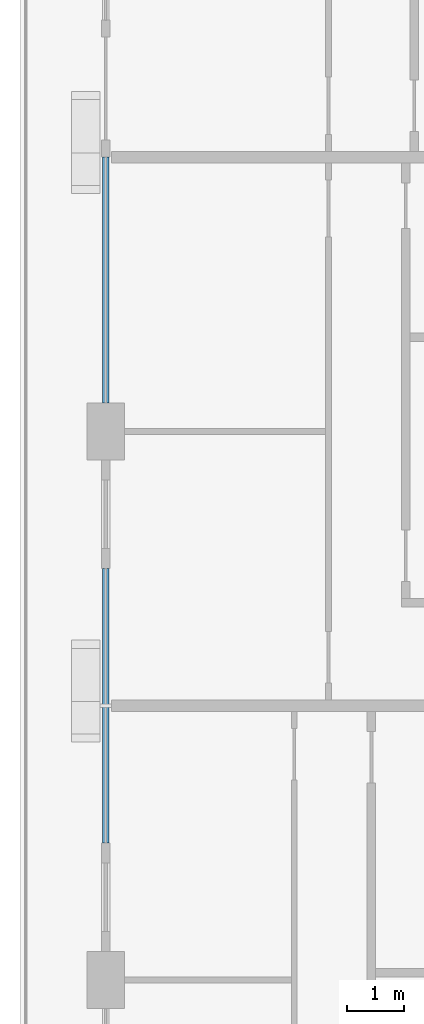
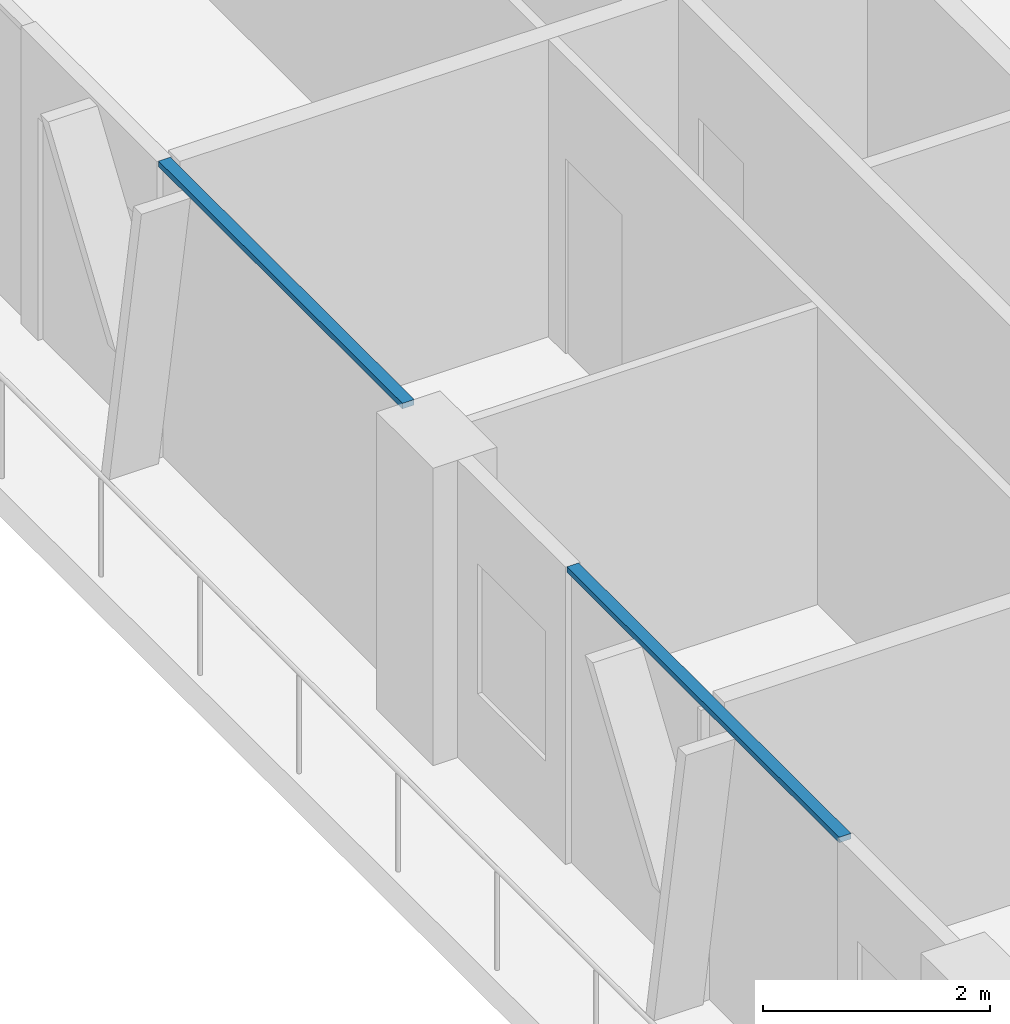
# One storey, part 3 of 23: 2 members, 2 elements without a shape of their own.
"""IFC4 building model written with IfcOpenShell, lengths in metres."""

import ifcopenshell
import ifcopenshell.guid

model = None  # the IFC model being written
_history = None  # IfcOwnerHistory: only IFC2X3 demands one
_inside = {}  # id of a spatial element -> (the spatial element, [elements in it])
_under = {}  # id of a project, library or spatial element -> (it, [spatial elements below it])
_declared = {}  # id of a project -> (the project, [libraries it declares])
_typed = {}  # id of a type object -> (the type object, [elements of that type])
_made_of = {}  # id of a material, layer set ... -> (it, [elements and type objects made of it])


def new_model(schema):
    """Start an empty IFC model of exactly this schema.

    Asked for "IFC4X3", IfcOpenShell would pick the latest addendum, in which some entities
    have other attributes; the version numbers below select the first issue.
    IFC2X3 requires an IfcOwnerHistory on every rooted entity: one is made here for all.
    """
    global model, _history
    if schema == "IFC4X3":
        model = ifcopenshell.file(schema_version=(4, 3, 0, 0))
    else:
        model = ifcopenshell.file(schema=schema)
    _inside.clear()
    _under.clear()
    _declared.clear()
    _typed.clear()
    _made_of.clear()
    _history = None
    if model.schema == "IFC2X3":
        org = make("IfcOrganization", Name="unknown")
        user = make(
            "IfcPersonAndOrganization",
            ThePerson=make("IfcPerson", FamilyName="unknown"),
            TheOrganization=org,
        )
        app = make(
            "IfcApplication",
            ApplicationDeveloper=org,
            Version="unknown",
            ApplicationFullName="unknown",
            ApplicationIdentifier="unknown",
        )
        _history = make(
            "IfcOwnerHistory",
            OwningUser=user,
            OwningApplication=app,
            ChangeAction="ADDED",
            CreationDate=0,
        )
    return model


def make(cls, **values):
    """One entity of the class cls with the attributes given. An attribute that is None is left unset."""
    return model.create_entity(
        cls, **{name: value for name, value in values.items() if value is not None}
    )


def rooted(cls, **values):
    """An entity with a GlobalId (a new one), such as an element, a storey or a relation."""
    return make(cls, GlobalId=ifcopenshell.guid.new(), OwnerHistory=_history, **values)


def si_unit(unit_type, name, prefix=None):
    """IfcSIUnit, for example si_unit("LENGTHUNIT", "METRE", prefix="MILLI")."""
    return make("IfcSIUnit", UnitType=unit_type, Prefix=prefix, Name=name)


def assignment(units):
    """IfcUnitAssignment: the units of a project."""
    return None if units is None else make("IfcUnitAssignment", Units=units)


def point(xyz):
    """IfcCartesianPoint."""
    return None if xyz is None else make("IfcCartesianPoint", Coordinates=xyz)


def direction(xyz):
    """IfcDirection."""
    return None if xyz is None else make("IfcDirection", DirectionRatios=xyz)


def frame(location, z_axis=None, x_axis=None):
    """IfcAxis2Placement3D, a coordinate frame: its origin and axes. An axis left out is left unset."""
    return make(
        "IfcAxis2Placement3D",
        Location=point(location),
        Axis=direction(z_axis),
        RefDirection=direction(x_axis),
    )


def frame_2d(location, x_axis=None):
    """IfcAxis2Placement2D, a coordinate frame in the plane: its origin and x axis."""
    return make(
        "IfcAxis2Placement2D", Location=point(location), RefDirection=direction(x_axis)
    )


def origin():
    """The frame at (0, 0, 0) with its axes left unset."""
    return frame((0.0, 0.0, 0.0))


def origin_2d():
    """The frame at (0, 0) in the plane with its x axis left unset."""
    return frame_2d((0.0, 0.0))


def place(relative_to, where):
    """IfcLocalPlacement: puts the frame where relative to a parent placement (None: the world)."""
    return make(
        "IfcLocalPlacement", PlacementRelTo=relative_to, RelativePlacement=where
    )


def context(
    kind, dimensions, precision=None, world=None, true_north=None, identifier=None
):
    """IfcGeometricRepresentationContext, for example the 3D "Model" context."""
    return make(
        "IfcGeometricRepresentationContext",
        ContextIdentifier=identifier,
        ContextType=kind,
        CoordinateSpaceDimension=dimensions,
        Precision=precision,
        WorldCoordinateSystem=world,
        TrueNorth=true_north,
    )


def subcontext(parent, identifier, kind, view, scale=None):
    """IfcGeometricRepresentationSubContext, for example "Body" below "Model"."""
    return make(
        "IfcGeometricRepresentationSubContext",
        ContextIdentifier=identifier,
        ContextType=kind,
        ParentContext=parent,
        TargetScale=scale,
        TargetView=view,
    )


def project(units=None, contexts=None):
    """IfcProject with its units and contexts."""
    return rooted(
        "IfcProject",
        Name="project",
        RepresentationContexts=contexts,
        UnitsInContext=assignment(units),
    )


def spatial(cls, under=None, at=None, **own):
    """A site, building, storey or space (cls), placed at a placement, below another one or the project."""
    s = rooted(cls, ObjectPlacement=at, **own)
    if under is not None:
        _under.setdefault(under.id(), (under, []))[1].append(s)
    return s


def profile(cls, at=None, kind="AREA", **sizes):
    """A parametric profile (cls). Its sizes go by their IFC names, for example OverallWidth=200.0."""
    return make(cls, ProfileType=kind, Position=at, **sizes)


def rectangle(**sizes):
    """IfcRectangleProfileDef."""
    return profile("IfcRectangleProfileDef", **sizes)


def extrude(swept, where, along, depth):
    """IfcExtrudedAreaSolid: the profile swept, set in the frame where, extruded along a direction by depth."""
    return make(
        "IfcExtrudedAreaSolid",
        SweptArea=swept,
        Position=where,
        ExtrudedDirection=direction(along),
        Depth=depth,
    )


def shape(context_of_items, identifier, shape_type, items):
    """IfcShapeRepresentation: the items that make up one representation, for example the "Body"."""
    return make(
        "IfcShapeRepresentation",
        ContextOfItems=context_of_items,
        RepresentationIdentifier=identifier,
        RepresentationType=shape_type,
        Items=items,
    )


def material(Name=None, Category=None):
    """IfcMaterial."""
    return make("IfcMaterial", Name=Name, Category=Category)


def layer(
    of_material, thickness, ventilated=None, Name=None, Category=None, Priority=None
):
    """IfcMaterialLayer: one layer of a wall or slab, of a material (None: an air gap)."""
    return make(
        "IfcMaterialLayer",
        Material=of_material,
        LayerThickness=thickness,
        IsVentilated=ventilated,
        Name=Name,
        Category=Category,
        Priority=Priority,
    )


def layer_set(layers, Name=None):
    """IfcMaterialLayerSet."""
    return make("IfcMaterialLayerSet", MaterialLayers=layers, LayerSetName=Name)


def material_profile(
    of_material, cross_section, Name=None, Category=None, Priority=None
):
    """IfcMaterialProfile: a cross section and its material."""
    return make(
        "IfcMaterialProfile",
        Name=Name,
        Material=of_material,
        Profile=cross_section,
        Priority=Priority,
        Category=Category,
    )


def profile_set(profiles, Name=None, composite=None):
    """IfcMaterialProfileSet."""
    return make(
        "IfcMaterialProfileSet",
        Name=Name,
        MaterialProfiles=profiles,
        CompositeProfile=composite,
    )


def made_of(thing, what):
    """Note that an element or type object is made of a material, layer set ...; save() writes the relation."""
    if what is not None:
        _made_of.setdefault(what.id(), (what, []))[1].append(thing)
    return thing


def type_object(cls, material=None, **own):
    """A type object (cls), such as IfcWallType, which elements share."""
    return made_of(rooted(cls, **own), material)


def element(
    cls,
    number,
    at=None,
    inside=None,
    cuts=None,
    type_object=None,
    material=None,
    context=None,
    identifier="Body",
    shape_type=None,
    held_by="IfcProductDefinitionShape",
    body=None,
    shapes=None,
    **own,
):
    """One element of the class cls, such as IfcWall. Its Tag is "e" and its number.

    at: its placement. inside: the storey or other place that contains it. cuts: it is an
    opening in that element (IfcRelVoidsElement). A single representation is given by context,
    identifier, shape_type and body (its items); several are given by shapes. held_by: the class
    of the entity that holds the representations. save() writes the other relations.
    """
    e = rooted(cls, Tag="e%d" % number, ObjectPlacement=at, **own)
    if body is not None:
        shapes = [shape(context, identifier, shape_type, body)]
    if shapes is not None:
        e.Representation = make(held_by, Representations=shapes)
    if inside is not None:
        _inside.setdefault(inside.id(), (inside, []))[1].append(e)
    if cuts is not None:
        rooted(
            "IfcRelVoidsElement", RelatingBuildingElement=cuts, RelatedOpeningElement=e
        )
    if type_object is not None:
        _typed.setdefault(type_object.id(), (type_object, []))[1].append(e)
    return made_of(e, material)


def aggregate(whole, parts):
    """IfcRelAggregates: a whole, such as a stair, and the parts it consists of."""
    return rooted("IfcRelAggregates", RelatingObject=whole, RelatedObjects=parts)


def save(model, path):
    """Write the relations noted so far, then the file.

    IfcRelAggregates (storeys below a building ...), IfcRelContainedInSpatialStructure (elements
    in a storey), IfcRelDefinesByType, IfcRelAssociatesMaterial and IfcRelDeclares: one each for
    every whole, place, type object, material and project.
    """
    for whole, parts in _under.values():
        aggregate(whole, parts)
    for where, things in _inside.values():
        rooted(
            "IfcRelContainedInSpatialStructure",
            RelatedElements=things,
            RelatingStructure=where,
        )
    for kind, things in _typed.values():
        rooted("IfcRelDefinesByType", RelatedObjects=things, RelatingType=kind)
    for what, things in _made_of.values():
        rooted("IfcRelAssociatesMaterial", RelatedObjects=things, RelatingMaterial=what)
    for by, libraries in _declared.values():
        rooted("IfcRelDeclares", RelatingContext=by, RelatedDefinitions=libraries)
    model.write(path)


model = new_model("IFC4")

# Units and contexts
model_context = context("Model", 3, precision=1e-05, world=origin(), true_north=direction((0.0, 1.0)))
body_context = subcontext(model_context, "Body", "Model", "MODEL_VIEW")
ifc_project = project(units=[si_unit("LENGTHUNIT", "METRE"), si_unit("AREAUNIT", "SQUARE_METRE"), si_unit("VOLUMEUNIT", "CUBIC_METRE"), si_unit("PLANEANGLEUNIT", "RADIAN"), si_unit("MASSUNIT", "GRAM", prefix="KILO")], contexts=[model_context])

# Site, building, storey
site_placement = place(None, origin())
site = spatial("IfcSite", under=ifc_project, at=site_placement, CompositionType="ELEMENT")
building_placement = place(site_placement, origin())
building = spatial("IfcBuilding", under=site, at=building_placement, Name="Madar Terraces", CompositionType="ELEMENT")
storey_placement = place(building_placement, frame((0.0, 0.0, 215.800048828125)))
storey = spatial("IfcBuildingStorey", under=building, at=storey_placement, Name="L56", CompositionType="ELEMENT", Elevation=215.800048828125)

# Curtain wall, member
ifc_material_1 = material(Name="Glass, ceramic frit dark grey, with black aluminium frame", Category="aluminium")
ifc_layer = layer(ifc_material_1, 0.199951171875)
ifc_layer_set = layer_set([ifc_layer], Name="Facade curtain wall, fritted glass")
curtain_wall_type = type_object("IfcCurtainWallType", Name="Facade curtain wall, fritted glass", PredefinedType="NOTDEFINED", material=ifc_layer_set)
curtain_wall_1_placement = place(storey_placement, origin())
curtain_wall_1 = element("IfcCurtainWall", 1, at=curtain_wall_1_placement, inside=storey, type_object=curtain_wall_type, Name="Outer skin curtain wall west bay 2", PredefinedType="NOTDEFINED")
ifc_material_2 = material(Name="Aluminium, black anodised", Category="aluminium")
ifc_material_profile = material_profile(ifc_material_2, rectangle(XDim=0.1201171875, YDim=0.06005859375, at=origin_2d()), Name="Facade transom 60x120")
ifc_profile_set = profile_set([ifc_material_profile], Name="Aluminium, black anodised")
member_type = type_object("IfcMemberType", Name="Facade transom 60x120", PredefinedType="USERDEFINED", material=ifc_profile_set)
member_1_placement = place(storey_placement, frame((4.800048828125, 33.60009765625, 3.169921875), z_axis=(0.0, -1.0, 0.0), x_axis=(1.0, 0.0, 0.0)))
member_1 = element("IfcMember", 2, at=member_1_placement, type_object=member_type, Name="Transom 2", ObjectType="TRANSOM", PredefinedType="USERDEFINED", context=body_context, shape_type="SweptSolid", body=[
    extrude(rectangle(XDim=0.1201171875, YDim=0.06005859375, at=origin_2d()), origin(), (0.0, 0.0, 1.0), 4.300048828125),
])
aggregate(curtain_wall_1, [member_1])

curtain_wall_2_placement = place(storey_placement, origin())
curtain_wall_2 = element("IfcCurtainWall", 3, at=curtain_wall_2_placement, inside=storey, type_object=curtain_wall_type, Name="Outer skin curtain wall west bay 3", PredefinedType="NOTDEFINED")
member_2_placement = place(storey_placement, frame((4.800048828125, 26.39990234375, 3.169921875), z_axis=(0.0, -1.0, 0.0), x_axis=(1.0, 0.0, 0.0)))
member_2 = element("IfcMember", 4, at=member_2_placement, type_object=member_type, Name="Transom 1", ObjectType="TRANSOM", PredefinedType="USERDEFINED", context=body_context, shape_type="SweptSolid", body=[
    extrude(rectangle(XDim=0.1201171875, YDim=0.06005859375, at=origin_2d()), origin(), (0.0, 0.0, 1.0), 4.7998046875),
])
aggregate(curtain_wall_2, [member_2])

save(model, "model.ifc")
